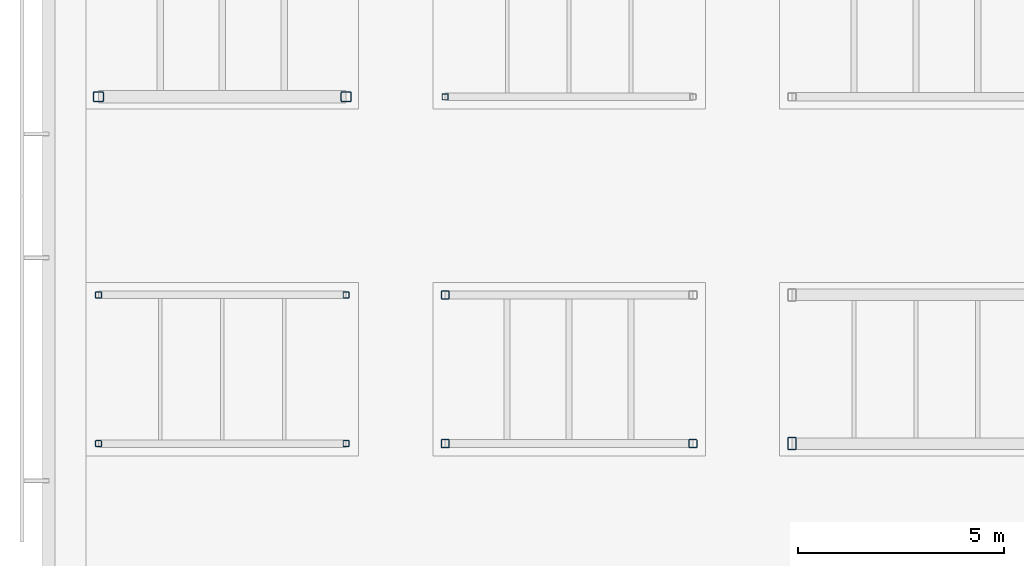
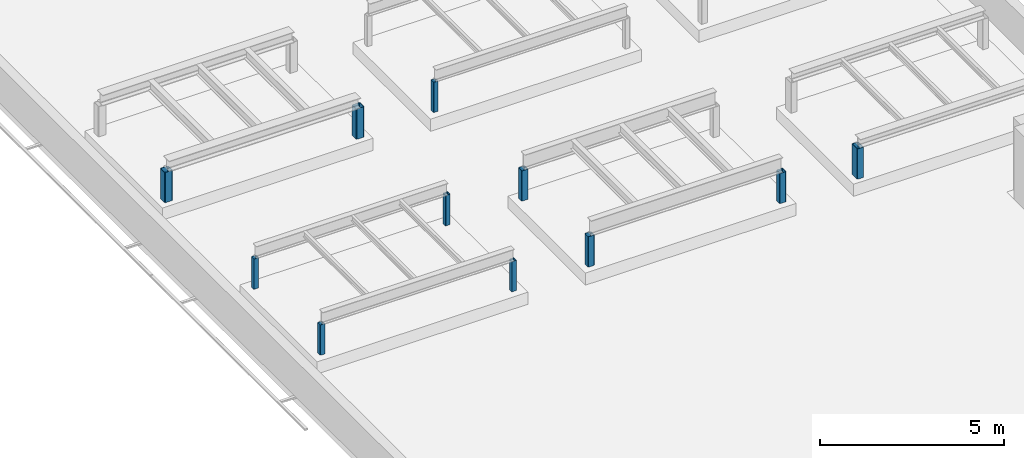
# One storey, part 2 of 18: 11 columns.
"""IFC4 building model written with IfcOpenShell, lengths in metres."""

from ifc_helpers import new_model, si_unit, direction, frame, origin, origin_2d, place, context, subcontext, project, spatial, hollow_rectangle, extrude, material, material_profile, profile_set, type_object, element, save


model = new_model("IFC4")

# Units and contexts
model_context = context("Model", 3, precision=1e-05, world=origin(), true_north=direction((0.0, 1.0)))
body_context = subcontext(model_context, "Body", "Model", "MODEL_VIEW")
ifc_project = project(units=[si_unit("LENGTHUNIT", "METRE"), si_unit("AREAUNIT", "SQUARE_METRE"), si_unit("VOLUMEUNIT", "CUBIC_METRE"), si_unit("PLANEANGLEUNIT", "RADIAN"), si_unit("MASSUNIT", "GRAM", prefix="KILO")], contexts=[model_context])

# Site, building, storey
site_placement = place(None, origin())
site = spatial("IfcSite", under=ifc_project, at=site_placement, CompositionType="ELEMENT")
building_placement = place(site_placement, origin())
building = spatial("IfcBuilding", under=site, at=building_placement, Name="Yavir Park General Hospital", CompositionType="ELEMENT")
storey_placement = place(building_placement, frame((0.0, 0.0, 29.699951171875)))
storey = spatial("IfcBuildingStorey", under=building, at=storey_placement, Name="RF", CompositionType="ELEMENT", Elevation=29.699951171875)

# Columns
ifc_material_1 = material(Name="Steel S355", Category="steel")
ifc_material_profile_1 = material_profile(ifc_material_1, hollow_rectangle(XDim=0.199951171875, YDim=0.300048828125, WallThickness=0.010009765625, InnerFilletRadius=0.014892578125, OuterFilletRadius=0.02001953125, at=origin_2d()), Name="RHS300x200x10")
ifc_profile_set_1 = profile_set([ifc_material_profile_1], Name="Steel S355")
column_type_1 = type_object("IfcColumnType", Name="RHS 300x200x10 platform column", PredefinedType="COLUMN", material=ifc_profile_set_1)
column_placement = place(storey_placement, frame((18.0, 86.39990234375, 0.400146484375), z_axis=(0.0, 0.0, 1.0), x_axis=(1.0, 0.0, 0.0)))
element("IfcColumn", 1, at=column_placement, inside=storey, type_object=column_type_1, Name="C:PF:PP33L:0", PredefinedType="COLUMN", context=body_context, shape_type="SweptSolid", body=[
    extrude(hollow_rectangle(XDim=0.199951171875, YDim=0.300048828125, WallThickness=0.010009765625, InnerFilletRadius=0.014892578125, OuterFilletRadius=0.02001953125, at=origin_2d()), origin(), (0.0, 0.0, 1.0), 1.0),
])
ifc_material_2 = material(Name="Steel S355", Category="steel")
ifc_material_profile_2 = material_profile(ifc_material_2, hollow_rectangle(XDim=0.14990234375, YDim=0.14990234375, WallThickness=0.008056640625, InnerFilletRadius=0.011962890625, OuterFilletRadius=0.01611328125, at=origin_2d()), Name="SHS150x150x8")
ifc_profile_set_2 = profile_set([ifc_material_profile_2], Name="Steel S355")
column_type_2 = type_object("IfcColumnType", Name="SHS 150x150x8 platform column", PredefinedType="COLUMN", material=ifc_profile_set_2)
for number, where, z_axis, x_axis, name in (
    (2, (1.199951171875, 86.39990234375, 0.400146484375), (0.0, 0.0, 1.0), (1.0, 0.0, 0.0), "C:PF:PP31L:0"),
    (3, (7.199951171875, 86.39990234375, 0.400146484375), (0.0, 0.0, 1.0), (1.0, 0.0, 0.0), "C:PF:PP31L:1"),
    (4, (1.199951171875, 90.0, 0.400146484375), (0.0, 0.0, 1.0), (1.0, 0.0, 0.0), "C:PF:PP31L:2"),
    (5, (7.199951171875, 90.0, 0.400146484375), (0.0, 0.0, 1.0), (1.0, 0.0, 0.0), "C:PF:PP31L:3"),
    (6, (9.60009765625, 94.800048828125, 0.400146484375), (0.0, 0.0, 1.0), (1.0, 0.0, 0.0), "C:PF:PP32M:0"),
):
    element("IfcColumn", number, at=place(storey_placement, frame(where, z_axis=z_axis, x_axis=x_axis)), inside=storey, type_object=column_type_2, Name=name, PredefinedType="COLUMN", context=body_context, shape_type="SweptSolid", body=[
        extrude(hollow_rectangle(XDim=0.14990234375, YDim=0.14990234375, WallThickness=0.008056640625, InnerFilletRadius=0.011962890625, OuterFilletRadius=0.01611328125, at=origin_2d()), origin(), (0.0, 0.0, 1.0), 1.0),
    ])
ifc_material_3 = material(Name="Steel S355", Category="steel")
ifc_material_profile_3 = material_profile(ifc_material_3, hollow_rectangle(XDim=0.199951171875, YDim=0.199951171875, WallThickness=0.010009765625, InnerFilletRadius=0.014892578125, OuterFilletRadius=0.02001953125, at=origin_2d()), Name="SHS200x200x10")
ifc_profile_set_3 = profile_set([ifc_material_profile_3], Name="Steel S355")
column_type_3 = type_object("IfcColumnType", Name="SHS 200x200x10 platform column", PredefinedType="COLUMN", material=ifc_profile_set_3)
for number, where, z_axis, x_axis, name in (
    (7, (9.60009765625, 86.39990234375, 0.400146484375), (0.0, 0.0, 1.0), (1.0, 0.0, 0.0), "C:PF:PP32L:0"),
    (8, (15.60009765625, 86.39990234375, 0.400146484375), (0.0, 0.0, 1.0), (1.0, 0.0, 0.0), "C:PF:PP32L:1"),
    (9, (9.60009765625, 90.0, 0.400146484375), (0.0, 0.0, 1.0), (1.0, 0.0, 0.0), "C:PF:PP32L:2"),
):
    element("IfcColumn", number, at=place(storey_placement, frame(where, z_axis=z_axis, x_axis=x_axis)), inside=storey, type_object=column_type_3, Name=name, PredefinedType="COLUMN", context=body_context, shape_type="SweptSolid", body=[
        extrude(hollow_rectangle(XDim=0.199951171875, YDim=0.199951171875, WallThickness=0.010009765625, InnerFilletRadius=0.014892578125, OuterFilletRadius=0.02001953125, at=origin_2d()), origin(), (0.0, 0.0, 1.0), 1.0),
    ])
ifc_material_4 = material(Name="Steel S355", Category="steel")
ifc_material_profile_4 = material_profile(ifc_material_4, hollow_rectangle(XDim=0.25, YDim=0.25, WallThickness=0.012451171875, InnerFilletRadius=0.02490234375, OuterFilletRadius=0.03125, at=origin_2d()), Name="SHS250x250x12.5")
ifc_profile_set_4 = profile_set([ifc_material_profile_4], Name="Steel S355")
column_type_4 = type_object("IfcColumnType", Name="SHS 250x250x12.5 platform column", PredefinedType="COLUMN", material=ifc_profile_set_4)
for number, where, z_axis, x_axis, name in (
    (10, (1.199951171875, 94.800048828125, 0.400146484375), (0.0, 0.0, 1.0), (1.0, 0.0, 0.0), "C:PF:PP31M:0"),
    (11, (7.199951171875, 94.800048828125, 0.400146484375), (0.0, 0.0, 1.0), (1.0, 0.0, 0.0), "C:PF:PP31M:1"),
):
    element("IfcColumn", number, at=place(storey_placement, frame(where, z_axis=z_axis, x_axis=x_axis)), inside=storey, type_object=column_type_4, Name=name, PredefinedType="COLUMN", context=body_context, shape_type="SweptSolid", body=[
        extrude(hollow_rectangle(XDim=0.25, YDim=0.25, WallThickness=0.012451171875, InnerFilletRadius=0.02490234375, OuterFilletRadius=0.03125, at=origin_2d()), origin(), (0.0, 0.0, 1.0), 1.0),
    ])

save(model, "model.ifc")
